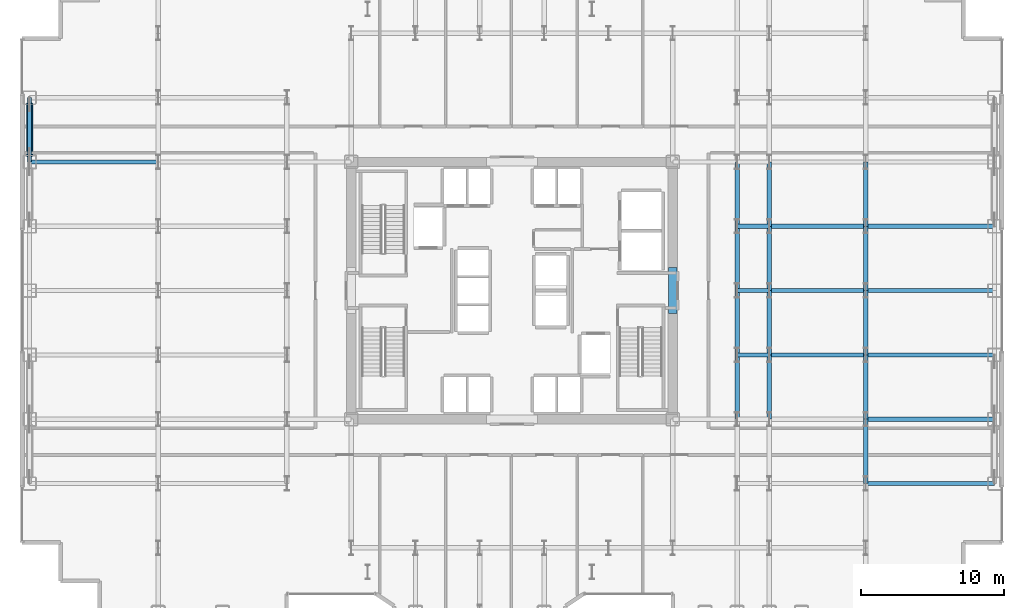
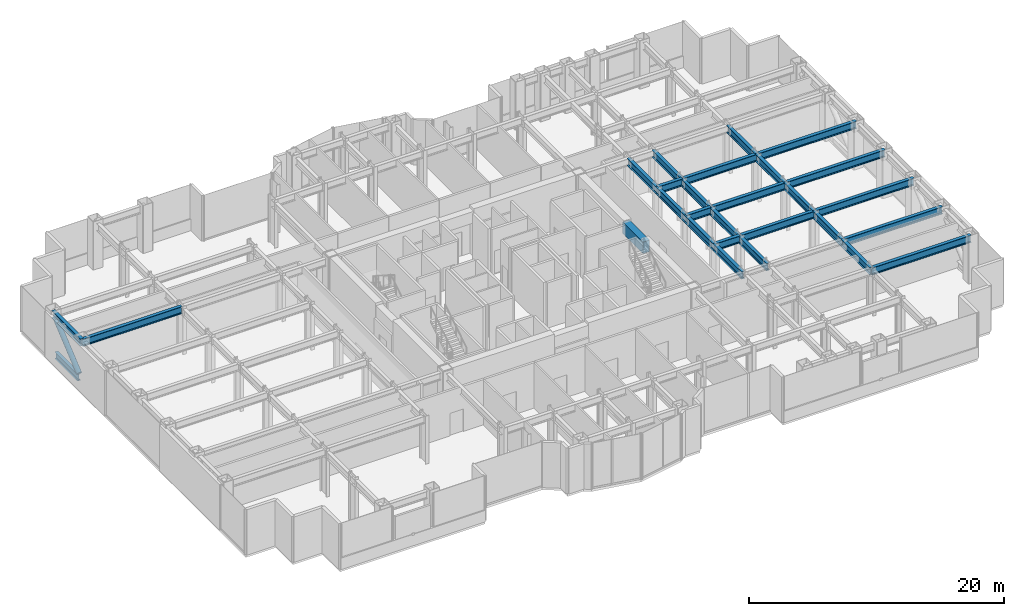
# One storey, part 10 of 30: 27 beams, 2 members.
"""IFC4 building model written with IfcOpenShell, lengths in metres."""

from ifc_helpers import new_model, si_unit, direction, frame, origin, origin_2d, place, context, subcontext, project, spatial, rectangle, hollow_circle, i_section, extrude, source, transform, mapped, material, material_profile, profile_set, type_object, element, save


model = new_model("IFC4")

# Units and contexts
model_context = context("Model", 3, precision=1e-05, world=origin(), true_north=direction((0.0, 1.0)))
body_context = subcontext(model_context, "Body", "Model", "MODEL_VIEW")
ifc_project = project(units=[si_unit("LENGTHUNIT", "METRE"), si_unit("AREAUNIT", "SQUARE_METRE"), si_unit("VOLUMEUNIT", "CUBIC_METRE"), si_unit("PLANEANGLEUNIT", "RADIAN"), si_unit("MASSUNIT", "GRAM", prefix="KILO")], contexts=[model_context])

# Site, building, storey
site_placement = place(None, origin())
site = spatial("IfcSite", under=ifc_project, at=site_placement, CompositionType="ELEMENT")
building_placement = place(site_placement, origin())
building = spatial("IfcBuilding", under=site, at=building_placement, Name="Nefas-Gora Pilgrimage Tower", CompositionType="ELEMENT")
storey_placement = place(building_placement, frame((0.0, 0.0, 86.199951171875)))
storey = spatial("IfcBuildingStorey", under=building, at=storey_placement, Name="L20", CompositionType="ELEMENT", Elevation=86.199951171875)

# Beams
ifc_material_1 = material(Name="Concrete C60/75", Category="concrete")
ifc_material_profile_1 = material_profile(ifc_material_1, rectangle(XDim=0.60009765625, YDim=1.10009765625, at=origin_2d()), Name="RC 600x1100")
ifc_profile_set_1 = profile_set([ifc_material_profile_1], Name="Concrete C60/75")
beam_type_1 = type_object("IfcBeamType", Name="BM-LIN-RC1100", PredefinedType="LINTEL", material=ifc_profile_set_1)
shared_shape_1 = source(origin(), body_context, "Body", "SweptSolid", [
    extrude(rectangle(XDim=0.60009765625, YDim=1.10009765625, at=origin_2d()), origin(), (0.0, 0.0, 1.0), 3.2001953125),
])
beam_1_placement = place(storey_placement, frame((11.25, -1.60009765625, 3.800048828125), z_axis=(0.0, 1.0, 0.0), x_axis=(-1.0, 0.0, 0.0)))
element("IfcBeam", 1, at=beam_1_placement, inside=storey, type_object=beam_type_1, Name="L20 Core Coupling Lintel Beam E", PredefinedType="LINTEL", context=body_context, shape_type="MappedRepresentation", body=[
    mapped(shared_shape_1, transform((0.0, 0.0, 0.0), x_axis=(1.0, 0.0, 0.0), y_axis=(0.0, 1.0, 0.0), z_axis=(0.0, 0.0, 1.0), scale=1.0)),
])
ifc_material_2 = material(Name="Steel S355", Category="steel")
ifc_material_profile_2 = material_profile(ifc_material_2, i_section(OverallWidth=0.300048828125, OverallDepth=0.699951171875, WebThickness=0.01708984375, FlangeThickness=0.031982421875, FilletRadius=0.027099609375, at=origin_2d()), Name="HEB 700")
ifc_profile_set_2 = profile_set([ifc_material_profile_2], Name="Steel S355")
beam_type_2 = type_object("IfcBeamType", Name="BM-SPN-HEB600", PredefinedType="SPANDREL", material=ifc_profile_set_2)
shared_shape_2 = source(origin(), body_context, "Body", "SweptSolid", [
    extrude(i_section(OverallWidth=0.300048828125, OverallDepth=0.699951171875, WebThickness=0.01708984375, FlangeThickness=0.031982421875, FilletRadius=0.027099609375, at=origin_2d()), origin(), (0.0, 0.0, 1.0), 4.5),
])
beam_2_placement = place(storey_placement, frame((-33.75, 9.0, 4.0), z_axis=(0.0, 1.0, 0.0), x_axis=(-1.0, 0.0, 0.0)))
element("IfcBeam", 2, at=beam_2_placement, inside=storey, type_object=beam_type_2, Name="L20 SP-01 beam", PredefinedType="SPANDREL", context=body_context, shape_type="MappedRepresentation", body=[
    mapped(shared_shape_2, transform((0.0, 0.0, 0.0), x_axis=(1.0, 0.0, 0.0), y_axis=(0.0, 1.0, 0.0), z_axis=(0.0, 0.0, 1.0), scale=1.0)),
])
ifc_material_profile_3 = material_profile(ifc_material_2, i_section(OverallWidth=0.300048828125, OverallDepth=0.699951171875, WebThickness=0.01708984375, FlangeThickness=0.031982421875, FilletRadius=0.027099609375, at=origin_2d()), Name="HEB 700")
ifc_profile_set_3 = profile_set([ifc_material_profile_3], Name="Steel S355")
beam_type_3 = type_object("IfcBeamType", Name="BM-GIR-HEB700", PredefinedType="BEAM", material=ifc_profile_set_3)
shared_shape_3 = source(origin(), body_context, "Body", "SweptSolid", [
    extrude(i_section(OverallWidth=0.300048828125, OverallDepth=0.699951171875, WebThickness=0.01708984375, FlangeThickness=0.031982421875, FilletRadius=0.027099609375, at=origin_2d()), origin(), (0.0, 0.0, 1.0), 9.0),
])
for number, where, z_axis, x_axis, name in (
    (3, (-33.75, 9.0, 4.0), (1.0, 0.0, 0.0), (0.0, 1.0, 0.0), "L20 G-02 beam"),
    (4, (24.75, -13.5, 4.0), (1.0, 0.0, 0.0), (0.0, 1.0, 0.0), "L20 G-02 beam"),
    (5, (24.75, -9.0, 4.0), (1.0, 0.0, 0.0), (0.0, 1.0, 0.0), "L20 G-02 beam"),
    (6, (24.75, -4.5, 4.0), (1.0, 0.0, 0.0), (0.0, 1.0, 0.0), "L20 G-02 beam"),
    (7, (24.75, 0.0, 4.0), (1.0, 0.0, 0.0), (0.0, 1.0, 0.0), "L20 G-02 beam"),
    (8, (24.75, 4.5, 4.0), (1.0, 0.0, 0.0), (0.0, 1.0, 0.0), "L20 G-02 beam"),
):
    element("IfcBeam", number, at=place(storey_placement, frame(where, z_axis=z_axis, x_axis=x_axis)), inside=storey, type_object=beam_type_3, Name=name, PredefinedType="BEAM", context=body_context, shape_type="MappedRepresentation", body=[
        mapped(shared_shape_3, transform((0.0, 0.0, 0.0), x_axis=(1.0, 0.0, 0.0), y_axis=(0.0, 1.0, 0.0), z_axis=(0.0, 0.0, 1.0), scale=1.0)),
    ])
shared_shape_4 = source(origin(), body_context, "Body", "SweptSolid", [
    extrude(i_section(OverallWidth=0.300048828125, OverallDepth=0.699951171875, WebThickness=0.01708984375, FlangeThickness=0.031982421875, FilletRadius=0.027099609375, at=origin_2d()), origin(), (0.0, 0.0, 1.0), 4.5),
])
for number, where, z_axis, x_axis, name in (
    (9, (15.75, -9.0, 4.0), (0.0, 1.0, 0.0), (-1.0, 0.0, 0.0), "L20 G-02 beam"),
    (10, (15.75, -4.5, 4.0), (0.0, 1.0, 0.0), (-1.0, 0.0, 0.0), "L20 G-02 beam"),
    (11, (15.75, 0.0, 4.0), (0.0, 1.0, 0.0), (-1.0, 0.0, 0.0), "L20 G-02 beam"),
    (12, (15.75, 4.5, 4.0), (0.0, 1.0, 0.0), (-1.0, 0.0, 0.0), "L20 G-02 beam"),
    (13, (18.0, -9.0, 4.0), (0.0, 1.0, 0.0), (-1.0, 0.0, 0.0), "L20 G-02 beam"),
    (14, (18.0, -4.5, 4.0), (0.0, 1.0, 0.0), (-1.0, 0.0, 0.0), "L20 G-02 beam"),
    (15, (18.0, 0.0, 4.0), (0.0, 1.0, 0.0), (-1.0, 0.0, 0.0), "L20 G-02 beam"),
    (16, (18.0, 4.5, 4.0), (0.0, 1.0, 0.0), (-1.0, 0.0, 0.0), "L20 G-02 beam"),
    (17, (24.75, -13.5, 4.0), (0.0, 1.0, 0.0), (-1.0, 0.0, 0.0), "L20 G-02 beam"),
    (18, (24.75, -9.0, 4.0), (0.0, 1.0, 0.0), (-1.0, 0.0, 0.0), "L20 G-02 beam"),
    (19, (24.75, -4.5, 4.0), (0.0, 1.0, 0.0), (-1.0, 0.0, 0.0), "L20 G-02 beam"),
    (20, (24.75, 0.0, 4.0), (0.0, 1.0, 0.0), (-1.0, 0.0, 0.0), "L20 G-02 beam"),
    (21, (24.75, 4.5, 4.0), (0.0, 1.0, 0.0), (-1.0, 0.0, 0.0), "L20 G-02 beam"),
):
    element("IfcBeam", number, at=place(storey_placement, frame(where, z_axis=z_axis, x_axis=x_axis)), inside=storey, type_object=beam_type_3, Name=name, PredefinedType="BEAM", context=body_context, shape_type="MappedRepresentation", body=[
        mapped(shared_shape_4, transform((0.0, 0.0, 0.0), x_axis=(1.0, 0.0, 0.0), y_axis=(0.0, 1.0, 0.0), z_axis=(0.0, 0.0, 1.0), scale=1.0)),
    ])
shared_shape_5 = source(origin(), body_context, "Body", "SweptSolid", [
    extrude(i_section(OverallWidth=0.300048828125, OverallDepth=0.699951171875, WebThickness=0.01708984375, FlangeThickness=0.031982421875, FilletRadius=0.027099609375, at=origin_2d()), origin(), (0.0, 0.0, 1.0), 6.75),
])
for number, where, z_axis, x_axis, name in (
    (22, (18.0, -4.5, 4.0), (1.0, 0.0, 0.0), (0.0, 1.0, 0.0), "L20 G-02 beam"),
    (23, (18.0, 0.0, 4.0), (1.0, 0.0, 0.0), (0.0, 1.0, 0.0), "L20 G-02 beam"),
    (24, (18.0, 4.5, 4.0), (1.0, 0.0, 0.0), (0.0, 1.0, 0.0), "L20 G-02 beam"),
):
    element("IfcBeam", number, at=place(storey_placement, frame(where, z_axis=z_axis, x_axis=x_axis)), inside=storey, type_object=beam_type_3, Name=name, PredefinedType="BEAM", context=body_context, shape_type="MappedRepresentation", body=[
        mapped(shared_shape_5, transform((0.0, 0.0, 0.0), x_axis=(1.0, 0.0, 0.0), y_axis=(0.0, 1.0, 0.0), z_axis=(0.0, 0.0, 1.0), scale=1.0)),
    ])
shared_shape_6 = source(origin(), body_context, "Body", "SweptSolid", [
    extrude(i_section(OverallWidth=0.300048828125, OverallDepth=0.699951171875, WebThickness=0.01708984375, FlangeThickness=0.031982421875, FilletRadius=0.027099609375, at=origin_2d()), origin(), (0.0, 0.0, 1.0), 2.25),
])
for number, where, z_axis, x_axis, name in (
    (25, (15.75, -4.5, 4.0), (1.0, 0.0, 0.0), (0.0, 1.0, 0.0), "L20 G-02 beam"),
    (26, (15.75, 0.0, 4.0), (1.0, 0.0, 0.0), (0.0, 1.0, 0.0), "L20 G-02 beam"),
    (27, (15.75, 4.5, 4.0), (1.0, 0.0, 0.0), (0.0, 1.0, 0.0), "L20 G-02 beam"),
):
    element("IfcBeam", number, at=place(storey_placement, frame(where, z_axis=z_axis, x_axis=x_axis)), inside=storey, type_object=beam_type_3, Name=name, PredefinedType="BEAM", context=body_context, shape_type="MappedRepresentation", body=[
        mapped(shared_shape_6, transform((0.0, 0.0, 0.0), x_axis=(1.0, 0.0, 0.0), y_axis=(0.0, 1.0, 0.0), z_axis=(0.0, 0.0, 1.0), scale=1.0)),
    ])

# Members
ifc_material_3 = material(Name="Steel S460", Category="steel")
ifc_material_profile_4 = material_profile(ifc_material_3, hollow_circle(Radius=0.228515625, WallThickness=0.028076171875, at=origin_2d()), Name="CHS 457x28")
ifc_profile_set_4 = profile_set([ifc_material_profile_4], Name="Steel S460")
member_type_1 = type_object("IfcMemberType", Name="MEM-BELT-457", PredefinedType="BRACE", material=ifc_profile_set_4)
shared_shape_7 = source(origin(), body_context, "Body", "SweptSolid", [
    extrude(hollow_circle(Radius=0.228515625, WallThickness=0.028076171875, at=origin_2d()), origin(), (0.0, 0.0, 1.0), 4.652587890625),
])
member_1_placement = place(storey_placement, frame((-33.75, 9.462890625, 0.73583984375), z_axis=(0.0, 0.768221279597, 0.640184399664), x_axis=(-1.0, 0.0, 0.0)))
element("IfcMember", 28, at=member_1_placement, inside=storey, type_object=member_type_1, Name="L20 Perimeter Belt-Truss Diagonal 4", PredefinedType="BRACE", context=body_context, shape_type="MappedRepresentation", body=[
    mapped(shared_shape_7, transform((0.0, 0.0, 0.0), x_axis=(1.0, 0.0, 0.0), y_axis=(0.0, 1.0, 0.0), z_axis=(0.0, 0.0, 1.0), scale=1.0)),
])
ifc_material_profile_5 = material_profile(ifc_material_3, i_section(OverallWidth=0.300048828125, OverallDepth=0.64990234375, WebThickness=0.01611328125, FlangeThickness=0.031005859375, FilletRadius=0.027099609375, at=origin_2d()), Name="HEB 650")
ifc_profile_set_5 = profile_set([ifc_material_profile_5], Name="Steel S460")
member_type_2 = type_object("IfcMemberType", Name="MEM-BELT-CHORD", PredefinedType="CHORD", material=ifc_profile_set_5)
shared_shape_8 = source(origin(), body_context, "Body", "SweptSolid", [
    extrude(i_section(OverallWidth=0.300048828125, OverallDepth=0.64990234375, WebThickness=0.01611328125, FlangeThickness=0.031005859375, FilletRadius=0.027099609375, at=origin_2d()), origin(), (0.0, 0.0, 1.0), 3.57421875),
])
member_2_placement = place(storey_placement, frame((-33.75, 9.462890625, 0.35009765625), z_axis=(0.0, 1.0, 0.0), x_axis=(-1.0, 0.0, 0.0)))
element("IfcMember", 29, at=member_2_placement, inside=storey, type_object=member_type_2, Name="L20 Perimeter Belt-Truss Bottom Chord 4", PredefinedType="CHORD", context=body_context, shape_type="MappedRepresentation", body=[
    mapped(shared_shape_8, transform((0.0, 0.0, 0.0), x_axis=(1.0, 0.0, 0.0), y_axis=(0.0, 1.0, 0.0), z_axis=(0.0, 0.0, 1.0), scale=1.0)),
])

save(model, "model.ifc")
